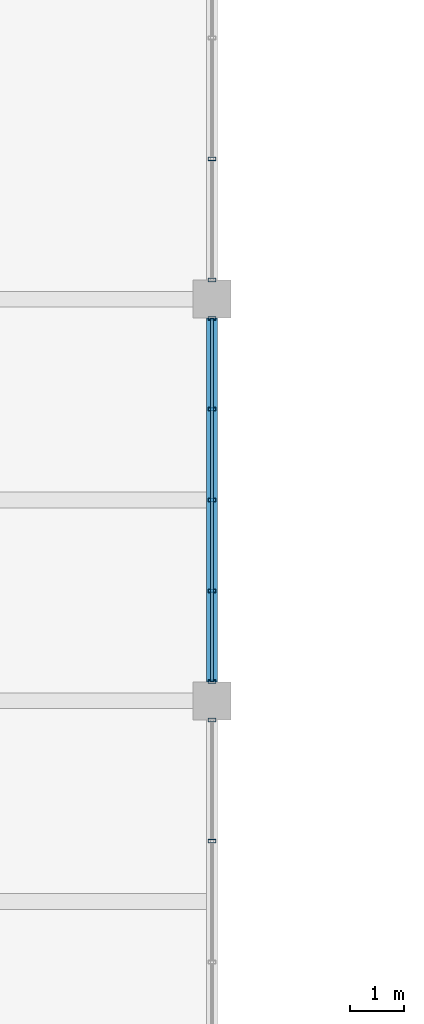
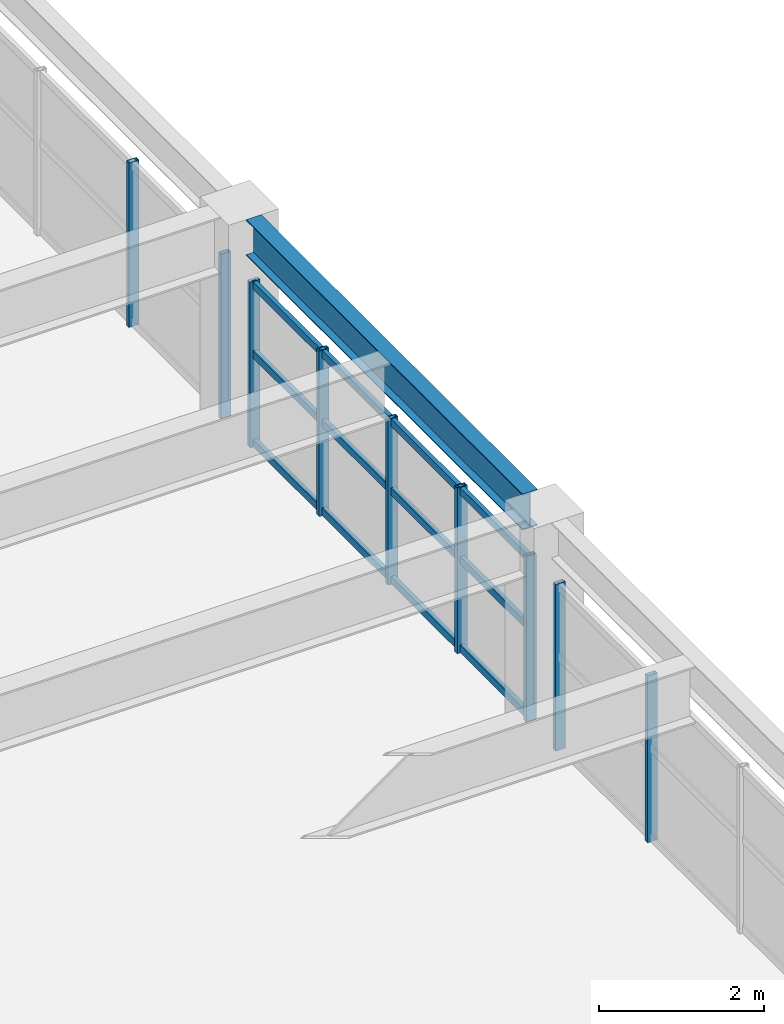
# One storey, part 35 of 121: 12 members, 1 beam, 3 elements without a shape of their own.
"""IFC4 building model written with IfcOpenShell, lengths in metres."""

from ifc_helpers import new_model, si_unit, direction, frame, origin, origin_2d, place, context, subcontext, project, spatial, hollow_rectangle, i_section, extrude, material, material_profile, profile_set, type_object, element, aggregate, save


model = new_model("IFC4")

# Units and contexts
model_context = context("Model", 3, precision=1e-05, world=origin(), true_north=direction((0.0, 1.0)))
body_context = subcontext(model_context, "Body", "Model", "MODEL_VIEW")
ifc_project = project(units=[si_unit("LENGTHUNIT", "METRE"), si_unit("AREAUNIT", "SQUARE_METRE"), si_unit("VOLUMEUNIT", "CUBIC_METRE"), si_unit("PLANEANGLEUNIT", "RADIAN"), si_unit("MASSUNIT", "GRAM", prefix="KILO")], contexts=[model_context])

# Site, building, storey
site_placement = place(None, origin())
site = spatial("IfcSite", under=ifc_project, at=site_placement, CompositionType="ELEMENT")
building_placement = place(site_placement, origin())
building = spatial("IfcBuilding", under=site, at=building_placement, Name="Cimatlan Art Gallery", CompositionType="ELEMENT")
storey_placement = place(building_placement, frame((0.0, 0.0, 10.199951171875)))
storey = spatial("IfcBuildingStorey", under=building, at=storey_placement, Name="L02", CompositionType="ELEMENT", Elevation=10.199951171875)

# Beam
ifc_material_1 = material(Name="Steel ASTM A992 Grade 50", Category="steel")
ifc_material_profile_1 = material_profile(ifc_material_1, i_section(OverallWidth=0.2099609375, OverallDepth=0.532958984375, WebThickness=0.01025390625, FlangeThickness=0.015625, at=origin_2d()), Name="W21X62")
ifc_profile_set_1 = profile_set([ifc_material_profile_1], Name="Steel ASTM A992 Grade 50")
beam_type = type_object("IfcBeamType", Name="BM-STL-W21X62", PredefinedType="BEAM", material=ifc_profile_set_1)
beam_placement = place(storey_placement, frame((99.199951171875, 53.85009765625, 3.103515625), z_axis=(0.0, 1.0, 0.0), x_axis=(-1.0, 0.0, 0.0)))
element("IfcBeam", 1, at=beam_placement, inside=storey, type_object=beam_type, Name="BM-Y-L02-12-07", PredefinedType="BEAM", context=body_context, shape_type="SweptSolid", body=[
    extrude(i_section(OverallWidth=0.2099609375, OverallDepth=0.532958984375, WebThickness=0.01025390625, FlangeThickness=0.015625, at=origin_2d()), origin(), (0.0, 0.0, 1.0), 6.699951171875),
])

# Curtain wall, members
ifc_material_2 = material(Name="Anodised bronze unitised curtain wall")
curtain_wall_type_1 = type_object("IfcCurtainWallType", Name="CW-V-06692X02464-B3", PredefinedType="NOTDEFINED", material=ifc_material_2)
curtain_wall_1_placement = place(storey_placement, origin())
curtain_wall_1 = element("IfcCurtainWall", 2, at=curtain_wall_1_placement, inside=storey, type_object=curtain_wall_type_1, Name="CW-L02-11-06-E", PredefinedType="NOTDEFINED")
ifc_material_3 = material(Name="Anodised bronze aluminium 6063-T6", Category="aluminium")
ifc_material_profile_2 = material_profile(ifc_material_3, hollow_rectangle(XDim=0.06494140625, YDim=0.139892578125, WallThickness=0.00390625, at=origin_2d()), Name="ALU65X140X4")
ifc_profile_set_2 = profile_set([ifc_material_profile_2], Name="Anodised bronze aluminium 6063-T6")
member_type_1 = type_object("IfcMemberType", Name="CW-MUL-140", PredefinedType="MULLION", material=ifc_profile_set_2)
member_1_placement = place(storey_placement, frame((99.199951171875, 53.14599609375, 0.0), z_axis=(0.0, 0.0, 1.0), x_axis=(0.0, 1.0, 0.0)))
member_1 = element("IfcMember", 3, at=member_1_placement, type_object=member_type_1, Name="CW-L02-11-06-E-M1", PredefinedType="MULLION", context=body_context, shape_type="SweptSolid", body=[
    extrude(hollow_rectangle(XDim=0.06494140625, YDim=0.139892578125, WallThickness=0.00390625, at=origin_2d()), origin(), (0.0, 0.0, 1.0), 2.464111328125),
])
member_2_placement = place(storey_placement, frame((99.199951171875, 50.915283203125, 0.0), z_axis=(0.0, 0.0, 1.0), x_axis=(0.0, 1.0, 0.0)))
member_2 = element("IfcMember", 4, at=member_2_placement, type_object=member_type_1, Name="CW-L02-11-06-E-M2", PredefinedType="MULLION", context=body_context, shape_type="SweptSolid", body=[
    extrude(hollow_rectangle(XDim=0.06494140625, YDim=0.139892578125, WallThickness=0.00390625, at=origin_2d()), origin(), (0.0, 0.0, 1.0), 2.464111328125),
])
aggregate(curtain_wall_1, [member_1, member_2])

curtain_wall_type_2 = type_object("IfcCurtainWallType", Name="CW-V-06692X02449-B4", PredefinedType="NOTDEFINED", material=ifc_material_2)
curtain_wall_2_placement = place(storey_placement, origin())
curtain_wall_2 = element("IfcCurtainWall", 5, at=curtain_wall_2_placement, inside=storey, type_object=curtain_wall_type_2, Name="CW-L02-11-07-E", PredefinedType="NOTDEFINED")
member_3_placement = place(storey_placement, frame((99.199951171875, 60.5458984375, 0.0), z_axis=(0.0, 0.0, 1.0), x_axis=(0.0, 1.0, 0.0)))
member_3 = element("IfcMember", 6, at=member_3_placement, type_object=member_type_1, Name="CW-L02-11-07-E-M1", PredefinedType="MULLION", context=body_context, shape_type="SweptSolid", body=[
    extrude(hollow_rectangle(XDim=0.06494140625, YDim=0.139892578125, WallThickness=0.00390625, at=origin_2d()), origin(), (0.0, 0.0, 1.0), 2.448974609375),
])
member_4_placement = place(storey_placement, frame((99.199951171875, 58.873046875, 0.0), z_axis=(0.0, 0.0, 1.0), x_axis=(0.0, 1.0, 0.0)))
member_4 = element("IfcMember", 7, at=member_4_placement, type_object=member_type_1, Name="CW-L02-11-07-E-M2", PredefinedType="MULLION", context=body_context, shape_type="SweptSolid", body=[
    extrude(hollow_rectangle(XDim=0.06494140625, YDim=0.139892578125, WallThickness=0.00390625, at=origin_2d()), origin(), (0.0, 0.0, 1.0), 2.448974609375),
])
member_5_placement = place(storey_placement, frame((99.199951171875, 57.199951171875, 0.0), z_axis=(0.0, 0.0, 1.0), x_axis=(0.0, 1.0, 0.0)))
member_5 = element("IfcMember", 8, at=member_5_placement, type_object=member_type_1, Name="CW-L02-11-07-E-M3", PredefinedType="MULLION", context=body_context, shape_type="SweptSolid", body=[
    extrude(hollow_rectangle(XDim=0.06494140625, YDim=0.139892578125, WallThickness=0.00390625, at=origin_2d()), origin(), (0.0, 0.0, 1.0), 2.448974609375),
])
member_6_placement = place(storey_placement, frame((99.199951171875, 55.527099609375, 0.0), z_axis=(0.0, 0.0, 1.0), x_axis=(0.0, 1.0, 0.0)))
member_6 = element("IfcMember", 9, at=member_6_placement, type_object=member_type_1, Name="CW-L02-11-07-E-M4", PredefinedType="MULLION", context=body_context, shape_type="SweptSolid", body=[
    extrude(hollow_rectangle(XDim=0.06494140625, YDim=0.139892578125, WallThickness=0.00390625, at=origin_2d()), origin(), (0.0, 0.0, 1.0), 2.448974609375),
])
member_7_placement = place(storey_placement, frame((99.199951171875, 53.85400390625, 0.0), z_axis=(0.0, 0.0, 1.0), x_axis=(0.0, 1.0, 0.0)))
member_7 = element("IfcMember", 10, at=member_7_placement, type_object=member_type_1, Name="CW-L02-11-07-E-M5", PredefinedType="MULLION", context=body_context, shape_type="SweptSolid", body=[
    extrude(hollow_rectangle(XDim=0.06494140625, YDim=0.139892578125, WallThickness=0.00390625, at=origin_2d()), origin(), (0.0, 0.0, 1.0), 2.448974609375),
])

curtain_wall_type_3 = type_object("IfcCurtainWallType", Name="CW-V-06692X02434-B3", PredefinedType="NOTDEFINED", material=ifc_material_2)
curtain_wall_3_placement = place(storey_placement, origin())
curtain_wall_3 = element("IfcCurtainWall", 11, at=curtain_wall_3_placement, inside=storey, type_object=curtain_wall_type_3, Name="CW-L02-11-08-E", PredefinedType="NOTDEFINED")
member_8_placement = place(storey_placement, frame((99.199951171875, 63.484619140625, 0.0), z_axis=(0.0, 0.0, 1.0), x_axis=(0.0, 1.0, 0.0)))
member_8 = element("IfcMember", 12, at=member_8_placement, type_object=member_type_1, Name="CW-L02-11-08-E-M3", PredefinedType="MULLION", context=body_context, shape_type="SweptSolid", body=[
    extrude(hollow_rectangle(XDim=0.06494140625, YDim=0.139892578125, WallThickness=0.00390625, at=origin_2d()), origin(), (0.0, 0.0, 1.0), 2.43408203125),
])
member_9_placement = place(storey_placement, frame((99.199951171875, 61.25390625, 0.0), z_axis=(0.0, 0.0, 1.0), x_axis=(0.0, 1.0, 0.0)))
member_9 = element("IfcMember", 13, at=member_9_placement, type_object=member_type_1, Name="CW-L02-11-08-E-M4", PredefinedType="MULLION", context=body_context, shape_type="SweptSolid", body=[
    extrude(hollow_rectangle(XDim=0.06494140625, YDim=0.139892578125, WallThickness=0.00390625, at=origin_2d()), origin(), (0.0, 0.0, 1.0), 2.43408203125),
])
aggregate(curtain_wall_3, [member_8, member_9])

# Member
ifc_material_profile_3 = material_profile(ifc_material_3, hollow_rectangle(XDim=0.06005859375, YDim=0.110107421875, WallThickness=0.00341796875, at=origin_2d()), Name="ALU60X110X3")
ifc_profile_set_3 = profile_set([ifc_material_profile_3], Name="Anodised bronze aluminium 6063-T6")
member_type_2 = type_object("IfcMemberType", Name="CW-TRN-110", PredefinedType="USERDEFINED", material=ifc_profile_set_3)
member_10_placement = place(storey_placement, frame((99.199951171875, 60.5458984375, 0.06005859375), z_axis=(0.0, -1.0, 0.0), x_axis=(1.0, 0.0, 0.0)))
member_10 = element("IfcMember", 14, at=member_10_placement, type_object=member_type_2, Name="CW-L02-11-07-E-T1", ObjectType="TRANSOM", PredefinedType="USERDEFINED", context=body_context, shape_type="SweptSolid", body=[
    extrude(hollow_rectangle(XDim=0.06005859375, YDim=0.110107421875, WallThickness=0.00341796875, at=origin_2d()), origin(), (0.0, 0.0, 1.0), 6.69189453125),
])

member_11_placement = place(storey_placement, frame((99.199951171875, 60.5458984375, 1.371337890625), z_axis=(0.0, -1.0, 0.0), x_axis=(1.0, 0.0, 0.0)))
member_11 = element("IfcMember", 15, at=member_11_placement, type_object=member_type_2, Name="CW-L02-11-07-E-T2", ObjectType="TRANSOM", PredefinedType="USERDEFINED", context=body_context, shape_type="SweptSolid", body=[
    extrude(hollow_rectangle(XDim=0.06005859375, YDim=0.110107421875, WallThickness=0.00341796875, at=origin_2d()), origin(), (0.0, 0.0, 1.0), 6.69189453125),
])

member_12_placement = place(storey_placement, frame((99.199951171875, 60.5458984375, 2.38916015625), z_axis=(0.0, -1.0, 0.0), x_axis=(1.0, 0.0, 0.0)))
member_12 = element("IfcMember", 16, at=member_12_placement, type_object=member_type_2, Name="CW-L02-11-07-E-T3", ObjectType="TRANSOM", PredefinedType="USERDEFINED", context=body_context, shape_type="SweptSolid", body=[
    extrude(hollow_rectangle(XDim=0.06005859375, YDim=0.110107421875, WallThickness=0.00341796875, at=origin_2d()), origin(), (0.0, 0.0, 1.0), 6.69189453125),
])

aggregate(curtain_wall_2, [member_3, member_4, member_5, member_6, member_7, member_10, member_11, member_12])

save(model, "model.ifc")
